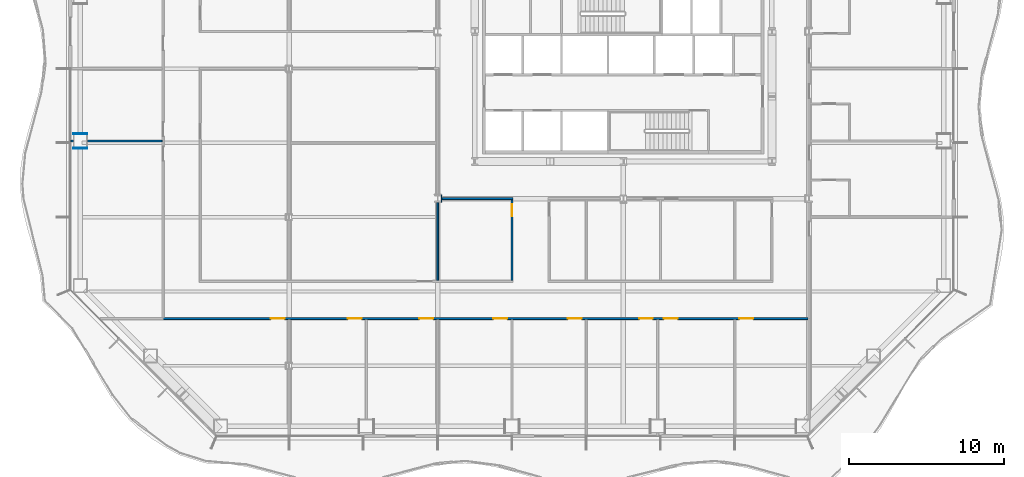
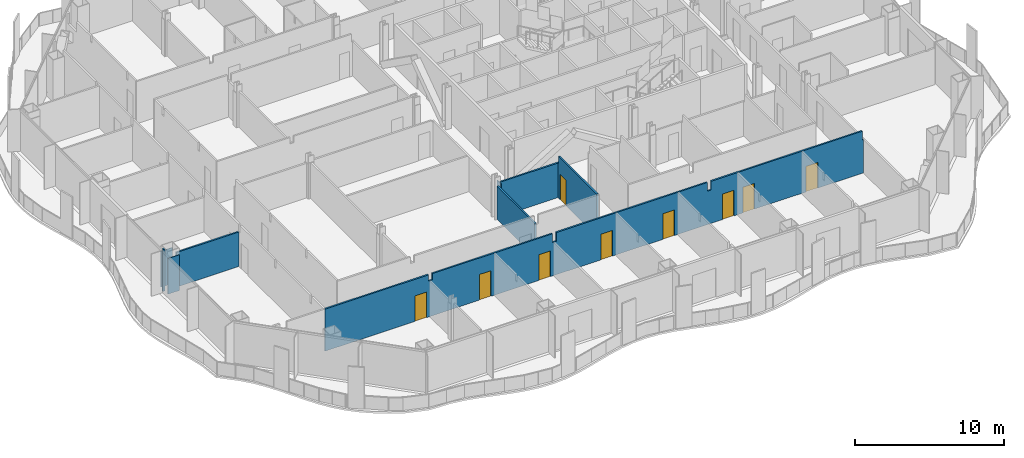
# One storey, part 7 of 18: 9 doors, 9 walls, 9 openings.
"""IFC4 building model written with IfcOpenShell, lengths in metres."""

from ifc_helpers import new_model, si_unit, direction, frame, frame_2d, origin, place, context, subcontext, project, spatial, polyline, rectangle, outline, extrude, material, layer, layer_set, type_object, element, fill, save


model = new_model("IFC4")

# Units and contexts
model_context = context("Model", 3, precision=1e-05, world=origin(), true_north=direction((0.0, 1.0)))
body_context = subcontext(model_context, "Body", "Model", "MODEL_VIEW")
ifc_project = project(units=[si_unit("LENGTHUNIT", "METRE"), si_unit("AREAUNIT", "SQUARE_METRE"), si_unit("VOLUMEUNIT", "CUBIC_METRE"), si_unit("PLANEANGLEUNIT", "RADIAN"), si_unit("MASSUNIT", "GRAM", prefix="KILO")], contexts=[model_context])

# Site, building, storey
site_placement = place(None, origin())
site = spatial("IfcSite", under=ifc_project, at=site_placement, CompositionType="ELEMENT")
building_placement = place(site_placement, origin())
building = spatial("IfcBuilding", under=site, at=building_placement, Name="Cairn Pilgrim Tower", CompositionType="ELEMENT")
storey_placement = place(building_placement, frame((0.0, 0.0, 65.39990234375)))
storey = spatial("IfcBuildingStorey", under=building, at=storey_placement, Name="L14", CompositionType="ELEMENT", Elevation=65.39990234375)

# Wall, openings, doors
ifc_material_1 = material(Name="Gypsum partition")
ifc_layer_1 = layer(ifc_material_1, 0.125)
ifc_layer_set_1 = layer_set([ifc_layer_1], Name="PARTITION 125 DRYWALL EI 60")
wall_type_1 = type_object("IfcWallType", Name="PARTITION 125 DRYWALL EI 60", PredefinedType="PARTITIONING", material=ifc_layer_set_1)
wall_1_placement = place(storey_placement, frame((-22.550048828125, -16.14990234375, 0.0), z_axis=(0.0, 0.0, 1.0), x_axis=(1.0, 0.0, 0.0)))
wall_1 = element("IfcWall", 1, at=wall_1_placement, inside=storey, type_object=wall_type_1, Name="PARTITION W013", PredefinedType="PARTITIONING", context=body_context, shape_type="SweptSolid", body=[
    extrude(outline(polyline([(0.0, 0.0), (41.6875, 0.0), (41.6875, 2.72998046875), (41.60009765625, 2.72998046875), (41.597900390625, 3.4501953125), (29.89990234375, 3.4501953125), (29.89794921875, 2.72998046875), (29.60009765625, 2.72998046875), (29.597900390625, 3.4501953125), (17.89990234375, 3.4501953125), (17.89794921875, 2.72998046875), (17.60009765625, 2.72998046875), (17.597900390625, 3.4501953125), (8.300048828125, 3.4501953125), (8.298095703125, 2.93017578125), (8.0, 2.93017578125), (7.998046875, 3.4501953125), (0.0, 3.4501953125), (0.0, 0.0)])), frame((0.0, 0.0625, 0.0), z_axis=(0.0, -1.0, 0.0), x_axis=(1.0, 0.0, 0.0)), (0.0, 0.0, 1.0), 0.125),
])
opening_1_placement = place(wall_1_placement, frame((6.949951171875, 0.0, 0.0)))
opening_1 = element("IfcOpeningElement", 2, at=opening_1_placement, cuts=wall_1, Name="Opening 1401", PredefinedType="OPENING", context=body_context, shape_type="SweptSolid", body=[
    extrude(rectangle(XDim=0.89990234375, YDim=2.10009765625, at=frame_2d((0.449951171875, 1.050048828125))), frame((0.0, 0.072509765625, 0.0), z_axis=(0.0, -1.0, 0.0), x_axis=(1.0, 0.0, 0.0)), (0.0, 0.0, 1.0), 0.14501953125),
])
opening_2_placement = place(wall_1_placement, frame((11.93603515625, 0.0, 0.0)))
opening_2 = element("IfcOpeningElement", 3, at=opening_2_placement, cuts=wall_1, Name="Opening 1402", PredefinedType="OPENING", context=body_context, shape_type="SweptSolid", body=[
    extrude(rectangle(XDim=0.89990234375, YDim=2.10009765625, at=frame_2d((0.449951171875, 1.050048828125))), frame((0.0, 0.072509765625, 0.0), z_axis=(0.0, -1.0, 0.0), x_axis=(1.0, 0.0, 0.0)), (0.0, 0.0, 1.0), 0.14501953125),
])
opening_3_placement = place(wall_1_placement, frame((16.550048828125, 0.0, 0.0)))
opening_3 = element("IfcOpeningElement", 4, at=opening_3_placement, cuts=wall_1, Name="Opening 1403", PredefinedType="OPENING", context=body_context, shape_type="SweptSolid", body=[
    extrude(rectangle(XDim=0.89990234375, YDim=2.10009765625, at=frame_2d((0.449951171875, 1.050048828125))), frame((0.0, 0.072509765625, 0.0), z_axis=(0.0, -1.0, 0.0), x_axis=(1.0, 0.0, 0.0)), (0.0, 0.0, 1.0), 0.14501953125),
])
opening_4_placement = place(wall_1_placement, frame((21.35009765625, 0.0, 0.0)))
opening_4 = element("IfcOpeningElement", 5, at=opening_4_placement, cuts=wall_1, Name="Opening 1404", PredefinedType="OPENING", context=body_context, shape_type="SweptSolid", body=[
    extrude(rectangle(XDim=0.89990234375, YDim=2.10009765625, at=frame_2d((0.449951171875, 1.050048828125))), frame((0.0, 0.072509765625, 0.0), z_axis=(0.0, -1.0, 0.0), x_axis=(1.0, 0.0, 0.0)), (0.0, 0.0, 1.0), 0.14501953125),
])
opening_5_placement = place(wall_1_placement, frame((26.14990234375, 0.0, 0.0)))
opening_5 = element("IfcOpeningElement", 6, at=opening_5_placement, cuts=wall_1, Name="Opening 1405", PredefinedType="OPENING", context=body_context, shape_type="SweptSolid", body=[
    extrude(rectangle(XDim=0.89990234375, YDim=2.10009765625, at=frame_2d((0.449951171875, 1.050048828125))), frame((0.0, 0.072509765625, 0.0), z_axis=(0.0, -1.0, 0.0), x_axis=(1.0, 0.0, 0.0)), (0.0, 0.0, 1.0), 0.14501953125),
])
opening_6_placement = place(wall_1_placement, frame((30.763916015625, 0.0, 0.0)))
opening_6 = element("IfcOpeningElement", 7, at=opening_6_placement, cuts=wall_1, Name="Opening 1406", PredefinedType="OPENING", context=body_context, shape_type="SweptSolid", body=[
    extrude(rectangle(XDim=0.89990234375, YDim=2.10009765625, at=frame_2d((0.449951171875, 1.050048828125))), frame((0.0, 0.072509765625, 0.0), z_axis=(0.0, -1.0, 0.0), x_axis=(1.0, 0.0, 0.0)), (0.0, 0.0, 1.0), 0.14501953125),
])
opening_7_placement = place(wall_1_placement, frame((32.35009765625, 0.0, 0.0)))
opening_7 = element("IfcOpeningElement", 8, at=opening_7_placement, cuts=wall_1, Name="Opening 1407", PredefinedType="OPENING", context=body_context, shape_type="SweptSolid", body=[
    extrude(rectangle(XDim=0.89990234375, YDim=2.10009765625, at=frame_2d((0.449951171875, 1.050048828125))), frame((0.0, 0.072509765625, 0.0), z_axis=(0.0, -1.0, 0.0), x_axis=(1.0, 0.0, 0.0)), (0.0, 0.0, 1.0), 0.14501953125),
])
opening_8_placement = place(wall_1_placement, frame((37.25, 0.0, 0.0)))
opening_8 = element("IfcOpeningElement", 9, at=opening_8_placement, cuts=wall_1, Name="Opening 1408", PredefinedType="OPENING", context=body_context, shape_type="SweptSolid", body=[
    extrude(rectangle(XDim=0.89990234375, YDim=2.10009765625, at=frame_2d((0.449951171875, 1.050048828125))), frame((0.0, 0.072509765625, 0.0), z_axis=(0.0, -1.0, 0.0), x_axis=(1.0, 0.0, 0.0)), (0.0, 0.0, 1.0), 0.14501953125),
])
ifc_material_2 = material(Name="Steel-faced fire door leaf", Category="steel")
door_type_1 = type_object("IfcDoorType", Name="FIRE DOOR 900x2100 FD30S", OperationType="NOTDEFINED", PredefinedType="DOOR", material=ifc_material_2)
door_1_placement = place(opening_1_placement, frame((0.89990234375, 0.0, 0.0), z_axis=(0.0, 0.0, 1.0), x_axis=(-1.0, 0.0, 0.0)))
door_1 = element("IfcDoor", 10, at=door_1_placement, inside=storey, type_object=door_type_1, Name="DOOR 1401", OperationType="SINGLE_SWING_RIGHT", OverallHeight=2.10009765625, OverallWidth=0.89990234375, PredefinedType="DOOR", context=body_context, shape_type="SweptSolid", body=[
    extrude(rectangle(XDim=0.89990234375, YDim=2.10009765625, at=frame_2d((0.449951171875, 1.050048828125))), frame((0.0, 0.02490234375, 0.0), z_axis=(0.0, -1.0, 0.0), x_axis=(1.0, 0.0, 0.0)), (0.0, 0.0, 1.0), 0.050048828125),
])
fill(opening_1, door_1)
door_2_placement = place(opening_2_placement, frame((0.89990234375, 0.0, 0.0), z_axis=(0.0, 0.0, 1.0), x_axis=(-1.0, 0.0, 0.0)))
door_2 = element("IfcDoor", 11, at=door_2_placement, inside=storey, type_object=door_type_1, Name="DOOR 1402", OperationType="SINGLE_SWING_LEFT", OverallHeight=2.10009765625, OverallWidth=0.89990234375, PredefinedType="DOOR", context=body_context, shape_type="SweptSolid", body=[
    extrude(rectangle(XDim=0.89990234375, YDim=2.10009765625, at=frame_2d((0.449951171875, 1.050048828125))), frame((0.0, 0.02490234375, 0.0), z_axis=(0.0, -1.0, 0.0), x_axis=(1.0, 0.0, 0.0)), (0.0, 0.0, 1.0), 0.050048828125),
])
fill(opening_2, door_2)
door_3_placement = place(opening_3_placement, frame((0.89990234375, 0.0, 0.0), z_axis=(0.0, 0.0, 1.0), x_axis=(-1.0, 0.0, 0.0)))
door_3 = element("IfcDoor", 12, at=door_3_placement, inside=storey, type_object=door_type_1, Name="DOOR 1403", OperationType="SINGLE_SWING_RIGHT", OverallHeight=2.10009765625, OverallWidth=0.89990234375, PredefinedType="DOOR", context=body_context, shape_type="SweptSolid", body=[
    extrude(rectangle(XDim=0.89990234375, YDim=2.10009765625, at=frame_2d((0.449951171875, 1.050048828125))), frame((0.0, 0.02490234375, 0.0), z_axis=(0.0, -1.0, 0.0), x_axis=(1.0, 0.0, 0.0)), (0.0, 0.0, 1.0), 0.050048828125),
])
fill(opening_3, door_3)
door_4_placement = place(opening_4_placement, frame((0.89990234375, 0.0, 0.0), z_axis=(0.0, 0.0, 1.0), x_axis=(-1.0, 0.0, 0.0)))
door_4 = element("IfcDoor", 13, at=door_4_placement, inside=storey, type_object=door_type_1, Name="DOOR 1404", OperationType="SINGLE_SWING_LEFT", OverallHeight=2.10009765625, OverallWidth=0.89990234375, PredefinedType="DOOR", context=body_context, shape_type="SweptSolid", body=[
    extrude(rectangle(XDim=0.89990234375, YDim=2.10009765625, at=frame_2d((0.449951171875, 1.050048828125))), frame((0.0, 0.02490234375, 0.0), z_axis=(0.0, -1.0, 0.0), x_axis=(1.0, 0.0, 0.0)), (0.0, 0.0, 1.0), 0.050048828125),
])
fill(opening_4, door_4)
door_5_placement = place(opening_5_placement, frame((0.89990234375, 0.0, 0.0), z_axis=(0.0, 0.0, 1.0), x_axis=(-1.0, 0.0, 0.0)))
door_5 = element("IfcDoor", 14, at=door_5_placement, inside=storey, type_object=door_type_1, Name="DOOR 1405", OperationType="SINGLE_SWING_RIGHT", OverallHeight=2.10009765625, OverallWidth=0.89990234375, PredefinedType="DOOR", context=body_context, shape_type="SweptSolid", body=[
    extrude(rectangle(XDim=0.89990234375, YDim=2.10009765625, at=frame_2d((0.449951171875, 1.050048828125))), frame((0.0, 0.02490234375, 0.0), z_axis=(0.0, -1.0, 0.0), x_axis=(1.0, 0.0, 0.0)), (0.0, 0.0, 1.0), 0.050048828125),
])
fill(opening_5, door_5)
door_6_placement = place(opening_6_placement, frame((0.89990234375, 0.0, 0.0), z_axis=(0.0, 0.0, 1.0), x_axis=(-1.0, 0.0, 0.0)))
door_6 = element("IfcDoor", 15, at=door_6_placement, inside=storey, type_object=door_type_1, Name="DOOR 1406", OperationType="SINGLE_SWING_LEFT", OverallHeight=2.10009765625, OverallWidth=0.89990234375, PredefinedType="DOOR", context=body_context, shape_type="SweptSolid", body=[
    extrude(rectangle(XDim=0.89990234375, YDim=2.10009765625, at=frame_2d((0.449951171875, 1.050048828125))), frame((0.0, 0.02490234375, 0.0), z_axis=(0.0, -1.0, 0.0), x_axis=(1.0, 0.0, 0.0)), (0.0, 0.0, 1.0), 0.050048828125),
])
fill(opening_6, door_6)
door_7_placement = place(opening_7_placement, frame((0.89990234375, 0.0, 0.0), z_axis=(0.0, 0.0, 1.0), x_axis=(-1.0, 0.0, 0.0)))
door_7 = element("IfcDoor", 16, at=door_7_placement, inside=storey, type_object=door_type_1, Name="DOOR 1407", OperationType="SINGLE_SWING_RIGHT", OverallHeight=2.10009765625, OverallWidth=0.89990234375, PredefinedType="DOOR", context=body_context, shape_type="SweptSolid", body=[
    extrude(rectangle(XDim=0.89990234375, YDim=2.10009765625, at=frame_2d((0.449951171875, 1.050048828125))), frame((0.0, 0.02490234375, 0.0), z_axis=(0.0, -1.0, 0.0), x_axis=(1.0, 0.0, 0.0)), (0.0, 0.0, 1.0), 0.050048828125),
])
fill(opening_7, door_7)
door_8_placement = place(opening_8_placement, frame((0.89990234375, 0.0, 0.0), z_axis=(0.0, 0.0, 1.0), x_axis=(-1.0, 0.0, 0.0)))
door_8 = element("IfcDoor", 17, at=door_8_placement, inside=storey, type_object=door_type_1, Name="DOOR 1408", OperationType="SINGLE_SWING_LEFT", OverallHeight=2.10009765625, OverallWidth=0.89990234375, PredefinedType="DOOR", context=body_context, shape_type="SweptSolid", body=[
    extrude(rectangle(XDim=0.89990234375, YDim=2.10009765625, at=frame_2d((0.449951171875, 1.050048828125))), frame((0.0, 0.02490234375, 0.0), z_axis=(0.0, -1.0, 0.0), x_axis=(1.0, 0.0, 0.0)), (0.0, 0.0, 1.0), 0.050048828125),
])
fill(opening_8, door_8)

# Wall
wall_2_placement = place(storey_placement, frame((-4.800048828125, -13.6875, 0.0), z_axis=(0.0, 0.0, 1.0), x_axis=(0.0, 1.0, 0.0)))
element("IfcWall", 18, at=wall_2_placement, inside=storey, type_object=wall_type_1, Name="PARTITION W020", PredefinedType="PARTITIONING", context=body_context, shape_type="SweptSolid", body=[
    extrude(rectangle(XDim=5.050537109375, YDim=0.125, at=frame_2d((2.525390625, 0.0))), origin(), (0.0, 0.0, 1.0), 2.72998046875),
])

# Wall, opening, door
wall_3_placement = place(storey_placement, frame((0.0, -13.6875, 0.0), z_axis=(0.0, 0.0, 1.0), x_axis=(0.0, 1.0, 0.0)))
wall_3 = element("IfcWall", 19, at=wall_3_placement, inside=storey, type_object=wall_type_1, Name="PARTITION W021", PredefinedType="PARTITIONING", context=body_context, shape_type="SweptSolid", body=[
    extrude(outline(polyline([(0.0, 0.0), (5.22509765625, 0.0), (5.22509765625, 2.830078125), (5.137451171875, 2.830078125), (5.135498046875, 3.4501953125), (0.0, 3.4501953125), (0.0, 0.0)])), frame((0.0, 0.0625, 0.0), z_axis=(0.0, -1.0, 0.0), x_axis=(1.0, 0.0, 0.0)), (0.0, 0.0, 1.0), 0.125),
])
opening_9_placement = place(wall_3_placement, frame((4.137451171875, 0.0, 0.0)))
opening_9 = element("IfcOpeningElement", 20, at=opening_9_placement, cuts=wall_3, Name="Opening 1435", PredefinedType="OPENING", context=body_context, shape_type="SweptSolid", body=[
    extrude(rectangle(XDim=0.800048828125, YDim=2.10009765625, at=frame_2d((0.39990234375, 1.050048828125))), frame((0.0, 0.072509765625, 0.0), z_axis=(0.0, -1.0, 0.0), x_axis=(1.0, 0.0, 0.0)), (0.0, 0.0, 1.0), 0.14501953125),
])
door_type_2 = type_object("IfcDoorType", Name="FIRE DOOR 800x2100 FD30S", OperationType="NOTDEFINED", PredefinedType="DOOR", material=ifc_material_2)
door_9_placement = place(opening_9_placement, origin())
door_9 = element("IfcDoor", 21, at=door_9_placement, inside=storey, type_object=door_type_2, Name="DOOR 1435", OperationType="SINGLE_SWING_RIGHT", OverallHeight=2.10009765625, OverallWidth=0.800048828125, PredefinedType="DOOR", context=body_context, shape_type="SweptSolid", body=[
    extrude(rectangle(XDim=0.800048828125, YDim=2.10009765625, at=frame_2d((0.39990234375, 1.050048828125))), frame((0.0, 0.02490234375, 0.0), z_axis=(0.0, -1.0, 0.0), x_axis=(1.0, 0.0, 0.0)), (0.0, 0.0, 1.0), 0.050048828125),
])
fill(opening_9, door_9)

# Walls
wall_4_placement = place(storey_placement, frame((-4.587890625, -8.39990234375, 0.0), z_axis=(0.0, 0.0, 1.0), x_axis=(1.0, 0.0, 0.0)))
element("IfcWall", 22, at=wall_4_placement, inside=storey, type_object=wall_type_1, Name="PARTITION W030", PredefinedType="PARTITIONING", context=body_context, shape_type="SweptSolid", body=[
    extrude(rectangle(XDim=4.650390625, YDim=0.125, at=frame_2d((2.3251953125, 0.0))), origin(), (0.0, 0.0, 1.0), 2.830078125),
])
wall_5_placement = place(storey_placement, frame((-28.5029296875, -4.676025390625, 0.0), z_axis=(0.0, 0.0, 1.0), x_axis=(1.0, 0.0, 0.0)))
element("IfcWall", 23, at=wall_5_placement, inside=storey, type_object=wall_type_1, Name="PARTITION W037", PredefinedType="PARTITIONING", context=body_context, shape_type="SweptSolid", body=[
    extrude(rectangle(XDim=0.15283203125, YDim=0.125, at=frame_2d((0.076416015625, 0.0))), origin(), (0.0, 0.0, 1.0), 3.4501953125),
])
wall_6_placement = place(storey_placement, frame((-27.449951171875, -4.676025390625, 0.0), z_axis=(0.0, 0.0, 1.0), x_axis=(1.0, 0.0, 0.0)))
element("IfcWall", 24, at=wall_6_placement, inside=storey, type_object=wall_type_1, Name="PARTITION W038", PredefinedType="PARTITIONING", context=body_context, shape_type="SweptSolid", body=[
    extrude(rectangle(XDim=4.83740234375, YDim=0.125, at=frame_2d((2.418701171875, 0.0))), origin(), (0.0, 0.0, 1.0), 2.830078125),
])
ifc_layer_2 = layer(ifc_material_1, 0.050048828125)
ifc_layer_set_2 = layer_set([ifc_layer_2], Name="PARTITION 50 DRYWALL EI 60")
wall_type_2 = type_object("IfcWallType", Name="PARTITION 50 DRYWALL EI 60", PredefinedType="PARTITIONING", material=ifc_layer_set_2)
wall_7_placement = place(storey_placement, frame((-4.56298828125, -8.636962890625, 0.0), z_axis=(0.0, 0.0, 1.0), x_axis=(0.0, 1.0, 0.0)))
element("IfcWall", 25, at=wall_7_placement, inside=storey, type_object=wall_type_2, Name="COLUMN CASING WC14", PredefinedType="PARTITIONING", context=body_context, shape_type="SweptSolid", body=[
    extrude(rectangle(XDim=0.473876953125, YDim=0.050048828125, at=frame_2d((0.23681640625, 0.0))), origin(), (0.0, 0.0, 1.0), 2.830078125),
])
for number, where, z_axis, x_axis, name in (
    (26, (-28.35009765625, -4.20068359375, 0.0), (0.0, 0.0, 1.0), (1.0, 0.0, 0.0), "COLUMN CASING WC17"),
    (27, (-28.35009765625, -5.150634765625, 0.0), (0.0, 0.0, 1.0), (1.0, 0.0, 0.0), "COLUMN CASING WC18"),
):
    element("IfcWall", number, at=place(storey_placement, frame(where, z_axis=z_axis, x_axis=x_axis)), inside=storey, type_object=wall_type_2, Name=name, PredefinedType="PARTITIONING", context=body_context, shape_type="SweptSolid", body=[
        extrude(rectangle(XDim=0.900146484375, YDim=0.050048828125, at=frame_2d((0.4501953125, 0.0))), origin(), (0.0, 0.0, 1.0), 2.93017578125),
    ])

save(model, "model.ifc")
